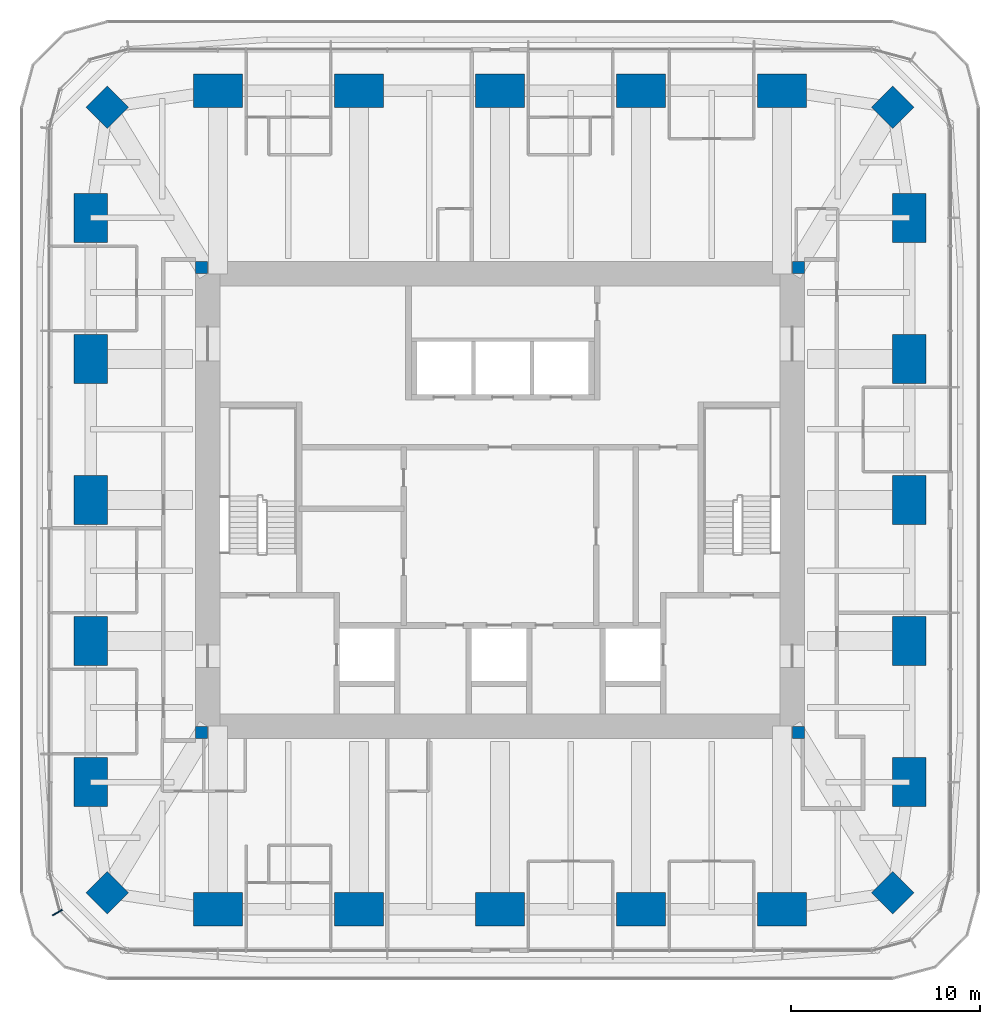
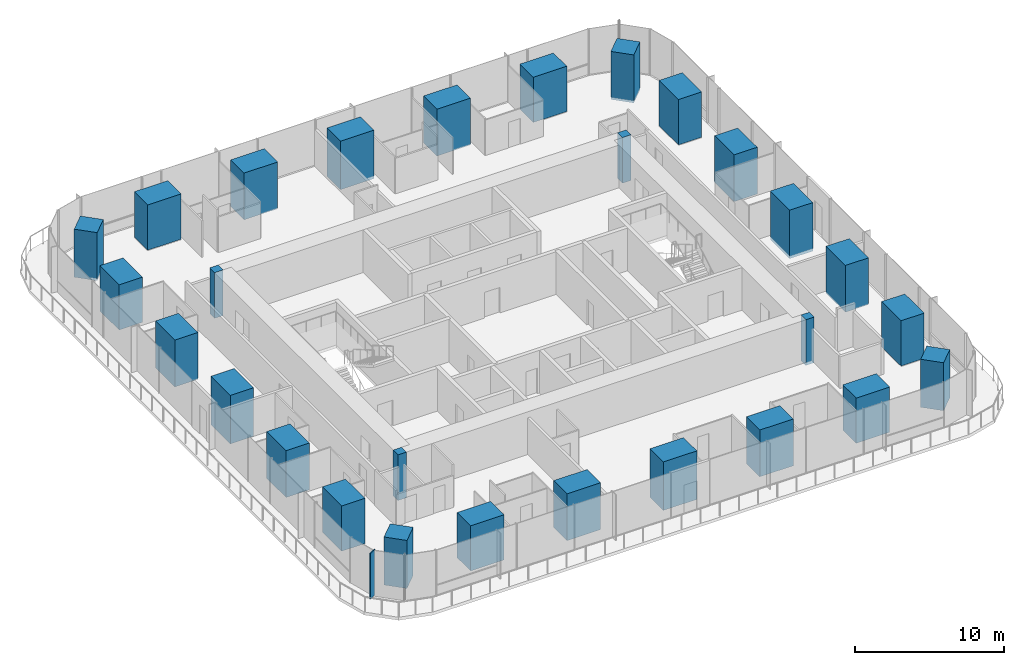
# One storey, part 1 of 15: 28 columns, 1 member, 1 element without a shape of its own.
"""IFC4 building model written with IfcOpenShell, lengths in metres."""

from ifc_helpers import new_model, si_unit, direction, frame, origin, origin_2d, place, context, subcontext, project, spatial, rectangle, extrude, material, material_profile, profile_set, type_object, element, aggregate, save


model = new_model("IFC4")

# Units and contexts
model_context = context("Model", 3, precision=1e-05, world=origin(), true_north=direction((0.0, 1.0)))
body_context = subcontext(model_context, "Body", "Model", "MODEL_VIEW")
ifc_project = project(units=[si_unit("LENGTHUNIT", "METRE"), si_unit("AREAUNIT", "SQUARE_METRE"), si_unit("VOLUMEUNIT", "CUBIC_METRE"), si_unit("PLANEANGLEUNIT", "RADIAN"), si_unit("MASSUNIT", "GRAM", prefix="KILO")], contexts=[model_context])

# Site, building, storey
site_placement = place(None, origin())
site = spatial("IfcSite", under=ifc_project, at=site_placement, CompositionType="ELEMENT")
building_placement = place(site_placement, origin())
building = spatial("IfcBuilding", under=site, at=building_placement, Name="Khuree Lantern Residences", CompositionType="ELEMENT")
storey_placement = place(building_placement, frame((0.0, 0.0, 285.75)))
storey = spatial("IfcBuildingStorey", under=building, at=storey_placement, Name="L71", CompositionType="ELEMENT", Elevation=285.75)

# Columns
ifc_material_1 = material(Name="Concrete C70/85", Category="concrete")
ifc_material_profile_1 = material_profile(ifc_material_1, rectangle(XDim=1.60009765625, YDim=1.60009765625, at=origin_2d()), Name="RC 1600X1600")
ifc_profile_set_1 = profile_set([ifc_material_profile_1], Name="Concrete C70/85")
column_type_1 = type_object("IfcColumnType", Name="CC1600A PERIMETER CORNER COLUMN RC 1600X1600", PredefinedType="COLUMN", material=ifc_profile_set_1)
for number, where, z_axis, x_axis, name in (
    (1, (20.8212890625, 20.8212890625, -0.18994140625), (0.0, 0.0, 1.0), (0.707106781187, -0.707106781187, 0.0), "Perimeter column NE"),
    (2, (20.8212890625, -20.8212890625, -0.18994140625), (0.0, 0.0, 1.0), (0.707106781187, 0.707106781187, 0.0), "Perimeter column SE"),
    (3, (-20.8212890625, -20.8212890625, -0.18994140625), (0.0, 0.0, 1.0), (0.707106781187, -0.707106781187, 0.0), "Perimeter column SW"),
    (4, (-20.8212890625, 20.8212890625, -0.18994140625), (0.0, 0.0, 1.0), (0.707106781187, 0.707106781187, 0.0), "Perimeter column NW"),
):
    element("IfcColumn", number, at=place(storey_placement, frame(where, z_axis=z_axis, x_axis=x_axis)), inside=storey, type_object=column_type_1, Name=name, PredefinedType="COLUMN", context=body_context, shape_type="SweptSolid", body=[
        extrude(rectangle(XDim=1.60009765625, YDim=1.60009765625, at=origin_2d()), origin(), (0.0, 0.0, 1.0), 3.93994140625),
    ])
ifc_material_2 = material(Name="Concrete C50/60", Category="concrete")
ifc_material_profile_2 = material_profile(ifc_material_2, rectangle(XDim=0.64990234375, YDim=0.64990234375, at=origin_2d()), Name="RC 650X650")
ifc_profile_set_2 = profile_set([ifc_material_profile_2], Name="Concrete C50/60")
column_type_2 = type_object("IfcColumnType", Name="CP650-C50 CORE CORNER PIER C50 RC 650X650", PredefinedType="COLUMN", material=ifc_profile_set_2)
for number, where, z_axis, x_axis, name in (
    (5, (15.824951171875, 12.324951171875, -0.25), (0.0, 0.0, 1.0), (1.0, 0.0, 0.0), "Core corner pier NE"),
    (6, (-15.824951171875, 12.324951171875, -0.25), (0.0, 0.0, 1.0), (1.0, 0.0, 0.0), "Core corner pier NW"),
    (7, (-15.824951171875, -12.324951171875, -0.25), (0.0, 0.0, 1.0), (1.0, 0.0, 0.0), "Core corner pier SW"),
    (8, (15.824951171875, -12.324951171875, -0.25), (0.0, 0.0, 1.0), (1.0, 0.0, 0.0), "Core corner pier SE"),
):
    element("IfcColumn", number, at=place(storey_placement, frame(where, z_axis=z_axis, x_axis=x_axis)), inside=storey, type_object=column_type_2, Name=name, PredefinedType="COLUMN", context=body_context, shape_type="SweptSolid", body=[
        extrude(rectangle(XDim=0.64990234375, YDim=0.64990234375, at=origin_2d()), origin(), (0.0, 0.0, 1.0), 3.75),
    ])
ifc_material_profile_3 = material_profile(ifc_material_1, rectangle(XDim=2.60009765625, YDim=1.800048828125, at=origin_2d()), Name="RC 2600X1800")
ifc_profile_set_3 = profile_set([ifc_material_profile_3], Name="Concrete C70/85")
column_type_3 = type_object("IfcColumnType", Name="PC3 PERIMETER COLUMN RC 2600X1800", PredefinedType="COLUMN", material=ifc_profile_set_3)
column_1_placement = place(storey_placement, frame((-14.9599609375, 21.699951171875, 0.0400390625), z_axis=(0.0, 0.0, 1.0), x_axis=(1.0, 0.0, 0.0)))
element("IfcColumn", 9, at=column_1_placement, inside=storey, type_object=column_type_3, Name="Perimeter column N1", PredefinedType="COLUMN", context=body_context, shape_type="SweptSolid", body=[
    extrude(rectangle(XDim=2.60009765625, YDim=1.800048828125, at=origin_2d()), origin(), (0.0, 0.0, 1.0), 3.7099609375),
])
column_2_placement = place(storey_placement, frame((-7.47998046875, 21.699951171875, -0.090087890625), z_axis=(0.0, 0.0, 1.0), x_axis=(1.0, 0.0, 0.0)))
element("IfcColumn", 10, at=column_2_placement, inside=storey, type_object=column_type_3, Name="Perimeter column N2", PredefinedType="COLUMN", context=body_context, shape_type="SweptSolid", body=[
    extrude(rectangle(XDim=2.60009765625, YDim=1.800048828125, at=origin_2d()), origin(), (0.0, 0.0, 1.0), 3.840087890625),
])
column_3_placement = place(storey_placement, frame((0.0, 21.699951171875, -0.22998046875), z_axis=(0.0, 0.0, 1.0), x_axis=(1.0, 0.0, 0.0)))
element("IfcColumn", 11, at=column_3_placement, inside=storey, type_object=column_type_3, Name="Perimeter column N3", PredefinedType="COLUMN", context=body_context, shape_type="SweptSolid", body=[
    extrude(rectangle(XDim=2.60009765625, YDim=1.800048828125, at=origin_2d()), origin(), (0.0, 0.0, 1.0), 3.97998046875),
])
column_4_placement = place(storey_placement, frame((7.47998046875, 21.699951171875, -0.090087890625), z_axis=(0.0, 0.0, 1.0), x_axis=(1.0, 0.0, 0.0)))
element("IfcColumn", 12, at=column_4_placement, inside=storey, type_object=column_type_3, Name="Perimeter column N4", PredefinedType="COLUMN", context=body_context, shape_type="SweptSolid", body=[
    extrude(rectangle(XDim=2.60009765625, YDim=1.800048828125, at=origin_2d()), origin(), (0.0, 0.0, 1.0), 3.840087890625),
])
for number, where, z_axis, x_axis, name in (
    (13, (14.9599609375, 21.699951171875, 0.0400390625), (0.0, 0.0, 1.0), (1.0, 0.0, 0.0), "Perimeter column N5"),
    (14, (21.699951171875, 14.9599609375, 0.0400390625), (0.0, 0.0, 1.0), (0.0, 1.0, 0.0), "Perimeter column E1"),
):
    element("IfcColumn", number, at=place(storey_placement, frame(where, z_axis=z_axis, x_axis=x_axis)), inside=storey, type_object=column_type_3, Name=name, PredefinedType="COLUMN", context=body_context, shape_type="SweptSolid", body=[
        extrude(rectangle(XDim=2.60009765625, YDim=1.800048828125, at=origin_2d()), origin(), (0.0, 0.0, 1.0), 3.7099609375),
    ])
column_5_placement = place(storey_placement, frame((21.699951171875, 7.47998046875, -0.090087890625), z_axis=(0.0, 0.0, 1.0), x_axis=(0.0, 1.0, 0.0)))
element("IfcColumn", 15, at=column_5_placement, inside=storey, type_object=column_type_3, Name="Perimeter column E2", PredefinedType="COLUMN", context=body_context, shape_type="SweptSolid", body=[
    extrude(rectangle(XDim=2.60009765625, YDim=1.800048828125, at=origin_2d()), origin(), (0.0, 0.0, 1.0), 3.840087890625),
])
column_6_placement = place(storey_placement, frame((21.699951171875, 0.0, -0.22998046875), z_axis=(0.0, 0.0, 1.0), x_axis=(0.0, 1.0, 0.0)))
element("IfcColumn", 16, at=column_6_placement, inside=storey, type_object=column_type_3, Name="Perimeter column E3", PredefinedType="COLUMN", context=body_context, shape_type="SweptSolid", body=[
    extrude(rectangle(XDim=2.60009765625, YDim=1.800048828125, at=origin_2d()), origin(), (0.0, 0.0, 1.0), 3.97998046875),
])
column_7_placement = place(storey_placement, frame((21.699951171875, -7.47998046875, -0.090087890625), z_axis=(0.0, 0.0, 1.0), x_axis=(0.0, 1.0, 0.0)))
element("IfcColumn", 17, at=column_7_placement, inside=storey, type_object=column_type_3, Name="Perimeter column E4", PredefinedType="COLUMN", context=body_context, shape_type="SweptSolid", body=[
    extrude(rectangle(XDim=2.60009765625, YDim=1.800048828125, at=origin_2d()), origin(), (0.0, 0.0, 1.0), 3.840087890625),
])
for number, where, z_axis, x_axis, name in (
    (18, (21.699951171875, -14.9599609375, 0.0400390625), (0.0, 0.0, 1.0), (0.0, 1.0, 0.0), "Perimeter column E5"),
    (19, (14.9599609375, -21.699951171875, 0.0400390625), (0.0, 0.0, 1.0), (1.0, 0.0, 0.0), "Perimeter column S1"),
):
    element("IfcColumn", number, at=place(storey_placement, frame(where, z_axis=z_axis, x_axis=x_axis)), inside=storey, type_object=column_type_3, Name=name, PredefinedType="COLUMN", context=body_context, shape_type="SweptSolid", body=[
        extrude(rectangle(XDim=2.60009765625, YDim=1.800048828125, at=origin_2d()), origin(), (0.0, 0.0, 1.0), 3.7099609375),
    ])
column_8_placement = place(storey_placement, frame((7.47998046875, -21.699951171875, -0.090087890625), z_axis=(0.0, 0.0, 1.0), x_axis=(1.0, 0.0, 0.0)))
element("IfcColumn", 20, at=column_8_placement, inside=storey, type_object=column_type_3, Name="Perimeter column S2", PredefinedType="COLUMN", context=body_context, shape_type="SweptSolid", body=[
    extrude(rectangle(XDim=2.60009765625, YDim=1.800048828125, at=origin_2d()), origin(), (0.0, 0.0, 1.0), 3.840087890625),
])
column_9_placement = place(storey_placement, frame((0.0, -21.699951171875, -0.22998046875), z_axis=(0.0, 0.0, 1.0), x_axis=(1.0, 0.0, 0.0)))
element("IfcColumn", 21, at=column_9_placement, inside=storey, type_object=column_type_3, Name="Perimeter column S3", PredefinedType="COLUMN", context=body_context, shape_type="SweptSolid", body=[
    extrude(rectangle(XDim=2.60009765625, YDim=1.800048828125, at=origin_2d()), origin(), (0.0, 0.0, 1.0), 3.97998046875),
])
column_10_placement = place(storey_placement, frame((-7.47998046875, -21.699951171875, -0.090087890625), z_axis=(0.0, 0.0, 1.0), x_axis=(1.0, 0.0, 0.0)))
element("IfcColumn", 22, at=column_10_placement, inside=storey, type_object=column_type_3, Name="Perimeter column S4", PredefinedType="COLUMN", context=body_context, shape_type="SweptSolid", body=[
    extrude(rectangle(XDim=2.60009765625, YDim=1.800048828125, at=origin_2d()), origin(), (0.0, 0.0, 1.0), 3.840087890625),
])
for number, where, z_axis, x_axis, name in (
    (23, (-14.9599609375, -21.699951171875, 0.0400390625), (0.0, 0.0, 1.0), (1.0, 0.0, 0.0), "Perimeter column S5"),
    (24, (-21.699951171875, -14.9599609375, 0.0400390625), (0.0, 0.0, 1.0), (0.0, 1.0, 0.0), "Perimeter column W1"),
):
    element("IfcColumn", number, at=place(storey_placement, frame(where, z_axis=z_axis, x_axis=x_axis)), inside=storey, type_object=column_type_3, Name=name, PredefinedType="COLUMN", context=body_context, shape_type="SweptSolid", body=[
        extrude(rectangle(XDim=2.60009765625, YDim=1.800048828125, at=origin_2d()), origin(), (0.0, 0.0, 1.0), 3.7099609375),
    ])
column_11_placement = place(storey_placement, frame((-21.699951171875, -7.47998046875, -0.090087890625), z_axis=(0.0, 0.0, 1.0), x_axis=(0.0, 1.0, 0.0)))
element("IfcColumn", 25, at=column_11_placement, inside=storey, type_object=column_type_3, Name="Perimeter column W2", PredefinedType="COLUMN", context=body_context, shape_type="SweptSolid", body=[
    extrude(rectangle(XDim=2.60009765625, YDim=1.800048828125, at=origin_2d()), origin(), (0.0, 0.0, 1.0), 3.840087890625),
])
column_12_placement = place(storey_placement, frame((-21.699951171875, 0.0, -0.22998046875), z_axis=(0.0, 0.0, 1.0), x_axis=(0.0, 1.0, 0.0)))
element("IfcColumn", 26, at=column_12_placement, inside=storey, type_object=column_type_3, Name="Perimeter column W3", PredefinedType="COLUMN", context=body_context, shape_type="SweptSolid", body=[
    extrude(rectangle(XDim=2.60009765625, YDim=1.800048828125, at=origin_2d()), origin(), (0.0, 0.0, 1.0), 3.97998046875),
])
column_13_placement = place(storey_placement, frame((-21.699951171875, 7.47998046875, -0.090087890625), z_axis=(0.0, 0.0, 1.0), x_axis=(0.0, 1.0, 0.0)))
element("IfcColumn", 27, at=column_13_placement, inside=storey, type_object=column_type_3, Name="Perimeter column W4", PredefinedType="COLUMN", context=body_context, shape_type="SweptSolid", body=[
    extrude(rectangle(XDim=2.60009765625, YDim=1.800048828125, at=origin_2d()), origin(), (0.0, 0.0, 1.0), 3.840087890625),
])
column_14_placement = place(storey_placement, frame((-21.699951171875, 14.9599609375, 0.0400390625), z_axis=(0.0, 0.0, 1.0), x_axis=(0.0, 1.0, 0.0)))
element("IfcColumn", 28, at=column_14_placement, inside=storey, type_object=column_type_3, Name="Perimeter column W5", PredefinedType="COLUMN", context=body_context, shape_type="SweptSolid", body=[
    extrude(rectangle(XDim=2.60009765625, YDim=1.800048828125, at=origin_2d()), origin(), (0.0, 0.0, 1.0), 3.7099609375),
])

# Curtain wall, member
ifc_material_3 = material(Name="Bronze anodised aluminium", Category="aluminium")
curtain_wall_type = type_object("IfcCurtainWallType", Name="CW-T2 TOWER CORNER CURTAIN WALL", PredefinedType="USERDEFINED", material=ifc_material_3)
curtain_wall_placement = place(storey_placement, origin())
curtain_wall = element("IfcCurtainWall", 29, at=curtain_wall_placement, inside=storey, type_object=curtain_wall_type, Name="L71 SOUTH-WEST CORNER CURTAIN WALL", ObjectType="Faceted corner curtain wall", PredefinedType="USERDEFINED")
ifc_material_profile_4 = material_profile(ifc_material_3, rectangle(XDim=0.06494140625, YDim=0.60009765625, at=origin_2d()), Name="F1 65X600")
ifc_profile_set_4 = profile_set([ifc_material_profile_4], Name="Bronze anodised aluminium")
member_type = type_object("IfcMemberType", Name="F1 BRONZE FIN MULLION TOWER 65X600", PredefinedType="MULLION", material=ifc_profile_set_4)
member_placement = place(storey_placement, frame((-23.46728515625, -21.875, 0.0), z_axis=(0.0, 0.0, 1.0), x_axis=(0.49999994149, -0.866025437565, 0.0)))
member = element("IfcMember", 30, at=member_placement, type_object=member_type, Name="L71 SOUTH-WEST CORNER FIN MULLION 44", PredefinedType="MULLION", context=body_context, shape_type="SweptSolid", body=[
    extrude(rectangle(XDim=0.06494140625, YDim=0.60009765625, at=origin_2d()), origin(), (0.0, 0.0, 1.0), 3.75),
])
aggregate(curtain_wall, [member])

save(model, "model.ifc")
